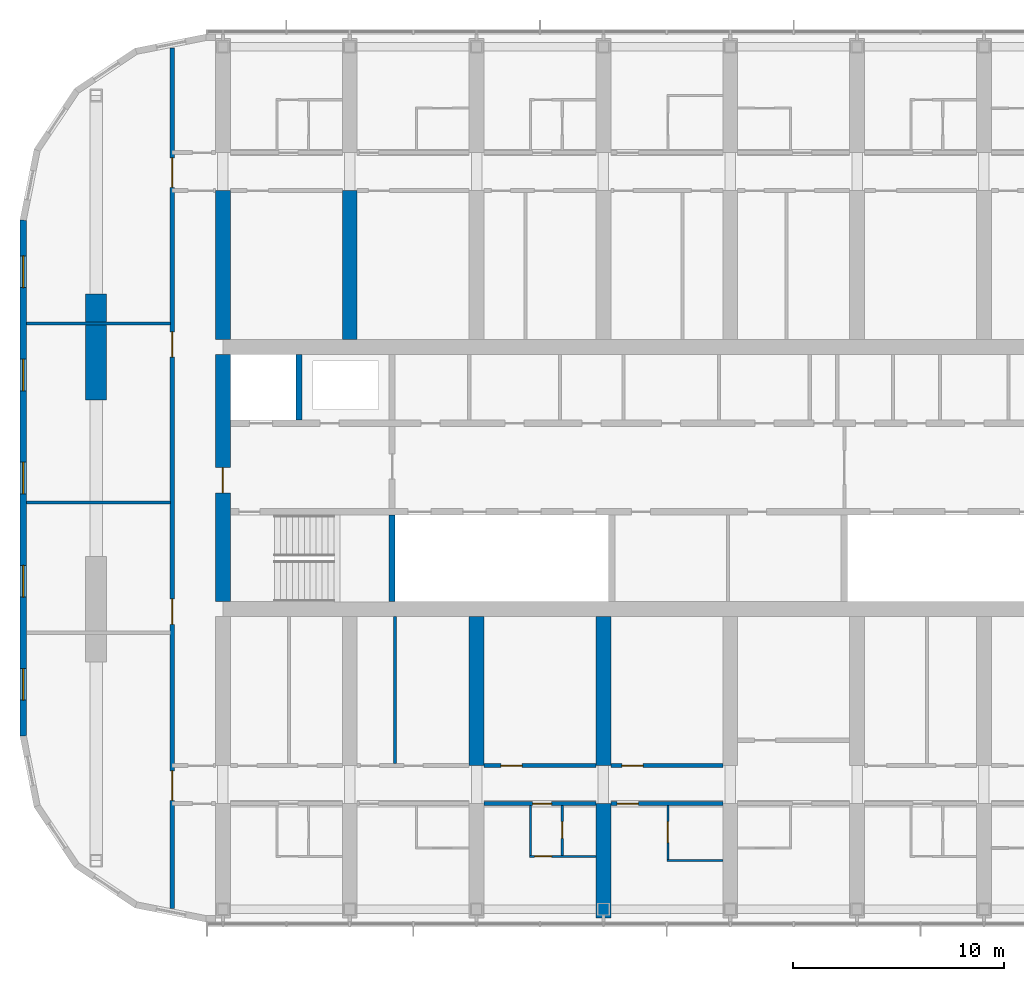
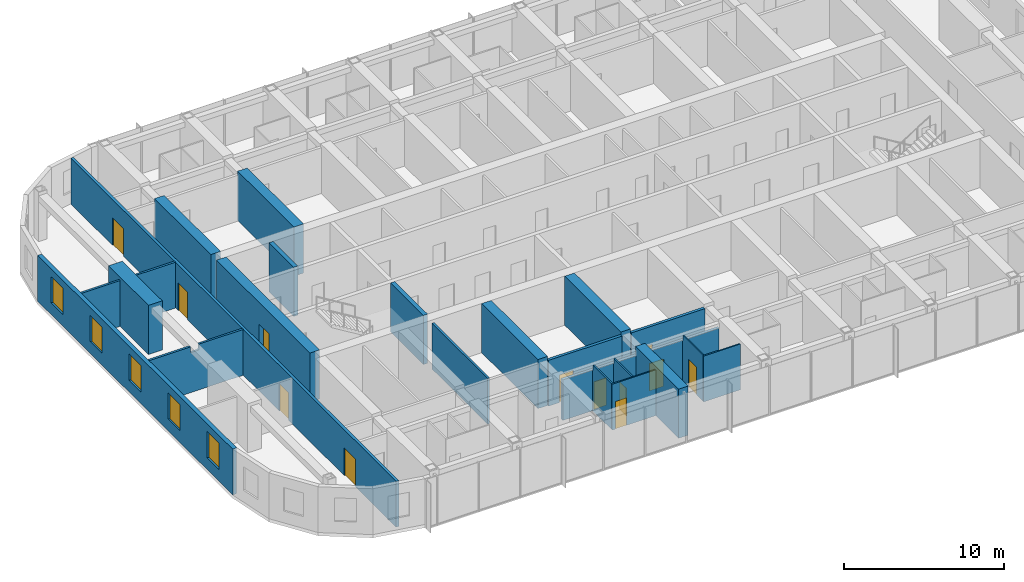
# One storey, part 11 of 23: 23 walls, 12 doors, 5 windows, 17 openings.
"""IFC4 building model written with IfcOpenShell, lengths in metres."""

from ifc_helpers import new_model, si_unit, direction, frame, frame_2d, origin, place, context, subcontext, project, spatial, polyline, rectangle, outline, extrude, material, layer, layer_set, type_object, element, fill, save


model = new_model("IFC4")

# Units and contexts
model_context = context("Model", 3, precision=1e-05, world=origin(), true_north=direction((0.0, 1.0)))
body_context = subcontext(model_context, "Body", "Model", "MODEL_VIEW")
ifc_project = project(units=[si_unit("LENGTHUNIT", "METRE"), si_unit("AREAUNIT", "SQUARE_METRE"), si_unit("VOLUMEUNIT", "CUBIC_METRE"), si_unit("PLANEANGLEUNIT", "RADIAN"), si_unit("MASSUNIT", "GRAM", prefix="KILO")], contexts=[model_context])

# Site, building, storey
site_placement = place(None, origin())
site = spatial("IfcSite", under=ifc_project, at=site_placement, CompositionType="ELEMENT")
building_placement = place(site_placement, origin())
building = spatial("IfcBuilding", under=site, at=building_placement, Name="Orbita Commons", CompositionType="ELEMENT")
storey_placement = place(building_placement, frame((0.0, 0.0, 224.050048828125)))
storey = spatial("IfcBuildingStorey", under=building, at=storey_placement, Name="L55", CompositionType="ELEMENT", Elevation=224.050048828125)

# Walls
ifc_material_1 = material(Name="Concrete C50/60", Category="concrete")
ifc_layer_1 = layer(ifc_material_1, 0.300048828125)
ifc_layer_set_1 = layer_set([ifc_layer_1], Name="Concrete C50/60")
wall_type_1 = type_object("IfcWallType", Name="Core inner wall 300 C50/60", PredefinedType="SHEAR", material=ifc_layer_set_1)
wall_1_placement = place(storey_placement, frame((26.0, 26.14990234375, 0.0), z_axis=(0.0, 0.0, 1.0), x_axis=(0.0, 1.0, 0.0)))
element("IfcWall", 1, at=wall_1_placement, inside=storey, type_object=wall_type_1, Name="Stair S1 wall L55", PredefinedType="SHEAR", context=body_context, shape_type="SweptSolid", body=[
    extrude(rectangle(XDim=4.10009765625, YDim=0.300048828125, at=frame_2d((2.050048828125, 0.0))), origin(), (0.0, 0.0, 1.0), 3.75),
])
wall_2_placement = place(storey_placement, frame((21.60009765625, 34.75, 0.0), z_axis=(0.0, 0.0, 1.0), x_axis=(0.0, 1.0, 0.0)))
element("IfcWall", 2, at=wall_2_placement, inside=storey, type_object=wall_type_1, Name="Firefighting lift FL1 shaft wall L55", PredefinedType="SHEAR", context=body_context, shape_type="SweptSolid", body=[
    extrude(rectangle(XDim=3.10009765625, YDim=0.300048828125, at=frame_2d((1.550048828125, 0.0))), origin(), (0.0, 0.0, 1.0), 3.75),
])

# Wall, opening, door
ifc_material_2 = material(Name="Concrete C50/60", Category="concrete")
ifc_layer_2 = layer(ifc_material_2, 0.699951171875)
ifc_layer_set_2 = layer_set([ifc_layer_2], Name="Concrete C50/60")
wall_type_2 = type_object("IfcWallType", Name="Core wall 700 C50/60", PredefinedType="SHEAR", material=ifc_layer_set_2)
wall_3_placement = place(storey_placement, frame((18.0, 26.14990234375, 0.0), z_axis=(0.0, 0.0, 1.0), x_axis=(0.0, 1.0, 0.0)))
wall_3 = element("IfcWall", 3, at=wall_3_placement, inside=storey, type_object=wall_type_2, Name="Core end wall west L55", PredefinedType="SHEAR", context=body_context, shape_type="SweptSolid", body=[
    extrude(rectangle(XDim=11.7001953125, YDim=0.699951171875, at=frame_2d((5.85009765625, 0.0))), origin(), (0.0, 0.0, 1.0), 3.75),
])
opening_1_placement = place(wall_3_placement, frame((5.14990234375, 0.0, 0.0)))
opening_1 = element("IfcOpeningElement", 4, at=opening_1_placement, cuts=wall_3, Name="Opening D01", PredefinedType="OPENING", context=body_context, shape_type="SweptSolid", body=[
    extrude(rectangle(XDim=1.199951171875, YDim=2.10009765625, at=frame_2d((0.60009765625, 1.050048828125))), frame((0.0, 0.35986328125, 0.0), z_axis=(0.0, -1.0, 0.0), x_axis=(1.0, 0.0, 0.0)), (0.0, 0.0, 1.0), 0.719970703125),
])
ifc_material_3 = material(Name="Steel-faced fire door leaf", Category="steel")
door_type_1 = type_object("IfcDoorType", Name="Fire door 90 min 1200x2100", OperationType="SINGLE_SWING_LEFT", PredefinedType="DOOR", material=ifc_material_3)
door_1_placement = place(opening_1_placement, origin())
door_1 = element("IfcDoor", 5, at=door_1_placement, inside=storey, type_object=door_type_1, Name="Firefighting lobby west door", OperationType="SINGLE_SWING_LEFT", OverallHeight=2.10009765625, OverallWidth=1.199951171875, PredefinedType="DOOR", context=body_context, shape_type="SweptSolid", body=[
    extrude(rectangle(XDim=1.199951171875, YDim=2.10009765625, at=frame_2d((0.60009765625, 1.050048828125))), frame((0.0, 0.02490234375, 0.0), z_axis=(0.0, -1.0, 0.0), x_axis=(1.0, 0.0, 0.0)), (0.0, 0.0, 1.0), 0.050048828125),
])
fill(opening_1, door_1)

ifc_material_4 = material(Name="Concrete blockwork", Category="masonry")
ifc_layer_3 = layer(ifc_material_4, 0.199951171875)
ifc_layer_set_3 = layer_set([ifc_layer_3], Name="Concrete blockwork")
wall_type_3 = type_object("IfcWallType", Name="Corridor wall 200 blockwork", PredefinedType="SOLIDWALL", material=ifc_layer_set_3)
wall_4_placement = place(storey_placement, frame((30.35009765625, 16.60009765625, 0.0), z_axis=(0.0, 0.0, 1.0), x_axis=(1.0, 0.0, 0.0)))
wall_4 = element("IfcWall", 6, at=wall_4_placement, inside=storey, type_object=wall_type_3, Name="Corridor wall 200 blockwork L55", PredefinedType="SOLIDWALL", context=body_context, shape_type="SweptSolid", body=[
    extrude(outline(polyline([(0.0, 0.0), (5.2998046875, 0.0), (5.300048828125, 3.099853515625), (0.0, 3.099853515625), (0.0, 0.0)])), frame((0.0, 0.10009765625, 0.0), z_axis=(0.0, -1.0, 0.0), x_axis=(1.0, 0.0, 0.0)), (0.0, 0.0, 1.0), 0.199951171875),
])
opening_2_placement = place(wall_4_placement, frame((2.300048828125, 0.0, 0.0)))
opening_2 = element("IfcOpeningElement", 7, at=opening_2_placement, cuts=wall_4, Name="Opening D11", PredefinedType="OPENING", context=body_context, shape_type="SweptSolid", body=[
    extrude(rectangle(XDim=0.89990234375, YDim=2.10009765625, at=frame_2d((0.449951171875, 1.050048828125))), frame((0.0, 0.10986328125, 0.0), z_axis=(0.0, -1.0, 0.0), x_axis=(1.0, 0.0, 0.0)), (0.0, 0.0, 1.0), 0.219970703125),
])
ifc_material_5 = material(Name="Steel-faced fire door leaf", Category="steel")
door_type_2 = type_object("IfcDoorType", Name="Corridor door 20 min 900x2100", OperationType="SINGLE_SWING_LEFT", PredefinedType="DOOR", material=ifc_material_5)
door_2_placement = place(opening_2_placement, origin())
door_2 = element("IfcDoor", 8, at=door_2_placement, inside=storey, type_object=door_type_2, Name="Studio flat L55-S04 entrance door", OperationType="SINGLE_SWING_LEFT", OverallHeight=2.10009765625, OverallWidth=0.89990234375, PredefinedType="DOOR", context=body_context, shape_type="SweptSolid", body=[
    extrude(rectangle(XDim=0.89990234375, YDim=2.10009765625, at=frame_2d((0.449951171875, 1.050048828125))), frame((0.0, 0.02490234375, 0.0), z_axis=(0.0, -1.0, 0.0), x_axis=(1.0, 0.0, 0.0)), (0.0, 0.0, 1.0), 0.050048828125),
])
fill(opening_2, door_2)

wall_5_placement = place(storey_placement, frame((36.35009765625, 16.60009765625, 0.0), z_axis=(0.0, 0.0, 1.0), x_axis=(1.0, 0.0, 0.0)))
wall_5 = element("IfcWall", 9, at=wall_5_placement, inside=storey, type_object=wall_type_3, Name="Corridor wall 200 blockwork L55", PredefinedType="SOLIDWALL", context=body_context, shape_type="SweptSolid", body=[
    extrude(outline(polyline([(0.0, 0.0), (5.2998046875, 0.0), (5.300048828125, 3.099853515625), (0.0, 3.099853515625), (0.0, 0.0)])), frame((0.0, 0.10009765625, 0.0), z_axis=(0.0, -1.0, 0.0), x_axis=(1.0, 0.0, 0.0)), (0.0, 0.0, 1.0), 0.199951171875),
])
opening_3_placement = place(wall_5_placement, frame((0.300048828125, 0.0, 0.0)))
opening_3 = element("IfcOpeningElement", 10, at=opening_3_placement, cuts=wall_5, Name="Opening D06", PredefinedType="OPENING", context=body_context, shape_type="SweptSolid", body=[
    extrude(rectangle(XDim=1.0, YDim=2.10009765625, at=frame_2d((0.5, 1.050048828125))), frame((0.0, 0.10986328125, 0.0), z_axis=(0.0, -1.0, 0.0), x_axis=(1.0, 0.0, 0.0)), (0.0, 0.0, 1.0), 0.219970703125),
])
ifc_material_6 = material(Name="Steel-faced fire door leaf", Category="steel")
door_type_3 = type_object("IfcDoorType", Name="Corridor door 20 min 1000x2100", OperationType="SINGLE_SWING_LEFT", PredefinedType="DOOR", material=ifc_material_6)
door_3_placement = place(opening_3_placement, origin())
door_3 = element("IfcDoor", 11, at=door_3_placement, inside=storey, type_object=door_type_3, Name="Accessible bedroom L55-S06 door", OperationType="SINGLE_SWING_LEFT", OverallHeight=2.10009765625, OverallWidth=1.0, PredefinedType="DOOR", context=body_context, shape_type="SweptSolid", body=[
    extrude(rectangle(XDim=1.0, YDim=2.10009765625, at=frame_2d((0.5, 1.050048828125))), frame((0.0, 0.02490234375, 0.0), z_axis=(0.0, -1.0, 0.0), x_axis=(1.0, 0.0, 0.0)), (0.0, 0.0, 1.0), 0.050048828125),
])
fill(opening_3, door_3)

# Wall, openings, doors
wall_6_placement = place(storey_placement, frame((15.60009765625, 11.646240234375, 0.0), z_axis=(0.0, 0.0, 1.0), x_axis=(0.0, 1.0, 0.0)))
wall_6 = element("IfcWall", 12, at=wall_6_placement, inside=storey, type_object=wall_type_3, Name="Corridor wall 200 blockwork L55", PredefinedType="SOLIDWALL", context=body_context, shape_type="SweptSolid", body=[
    extrude(rectangle(XDim=40.70751953125, YDim=0.199951171875, at=frame_2d((20.353759765625, 0.0))), origin(), (0.0, 0.0, 1.0), 3.5),
])
opening_4_placement = place(wall_6_placement, frame((13.433837890625, 0.0, 0.0)))
opening_4 = element("IfcOpeningElement", 13, at=opening_4_placement, cuts=wall_6, Name="Opening D15", PredefinedType="OPENING", context=body_context, shape_type="SweptSolid", body=[
    extrude(rectangle(XDim=1.199951171875, YDim=2.10009765625, at=frame_2d((0.60009765625, 1.050048828125))), frame((0.0, 0.10986328125, 0.0), z_axis=(0.0, -1.0, 0.0), x_axis=(1.0, 0.0, 0.0)), (0.0, 0.0, 1.0), 0.219970703125),
])
opening_5_placement = place(wall_6_placement, frame((26.07373046875, 0.0, 0.0)))
opening_5 = element("IfcOpeningElement", 14, at=opening_5_placement, cuts=wall_6, Name="Opening D15", PredefinedType="OPENING", context=body_context, shape_type="SweptSolid", body=[
    extrude(rectangle(XDim=1.199951171875, YDim=2.10009765625, at=frame_2d((0.60009765625, 1.050048828125))), frame((0.0, 0.10986328125, 0.0), z_axis=(0.0, -1.0, 0.0), x_axis=(1.0, 0.0, 0.0)), (0.0, 0.0, 1.0), 0.219970703125),
])
opening_6_placement = place(wall_6_placement, frame((5.103759765625, 0.0, 0.0)))
opening_6 = element("IfcOpeningElement", 15, at=opening_6_placement, cuts=wall_6, Name="Opening D08", PredefinedType="OPENING", context=body_context, shape_type="SweptSolid", body=[
    extrude(rectangle(XDim=1.39990234375, YDim=2.10009765625, at=frame_2d((0.699951171875, 1.050048828125))), frame((0.0, 0.10986328125, 0.0), z_axis=(0.0, -1.0, 0.0), x_axis=(1.0, 0.0, 0.0)), (0.0, 0.0, 1.0), 0.219970703125),
])
opening_7_placement = place(wall_6_placement, frame((34.103759765625, 0.0, 0.0)))
opening_7 = element("IfcOpeningElement", 16, at=opening_7_placement, cuts=wall_6, Name="Opening D08", PredefinedType="OPENING", context=body_context, shape_type="SweptSolid", body=[
    extrude(rectangle(XDim=1.39990234375, YDim=2.10009765625, at=frame_2d((0.699951171875, 1.050048828125))), frame((0.0, 0.10986328125, 0.0), z_axis=(0.0, -1.0, 0.0), x_axis=(1.0, 0.0, 0.0)), (0.0, 0.0, 1.0), 0.219970703125),
])
ifc_material_7 = material(Name="Steel-faced fire door leaf", Category="steel")
door_type_4 = type_object("IfcDoorType", Name="Corridor door 20 min 1200x2100", OperationType="SINGLE_SWING_LEFT", PredefinedType="DOOR", material=ifc_material_7)
door_4_placement = place(opening_4_placement, origin())
door_4 = element("IfcDoor", 17, at=door_4_placement, inside=storey, type_object=door_type_4, Name="Study hall door", OperationType="SINGLE_SWING_LEFT", OverallHeight=2.10009765625, OverallWidth=1.199951171875, PredefinedType="DOOR", context=body_context, shape_type="SweptSolid", body=[
    extrude(rectangle(XDim=1.199951171875, YDim=2.10009765625, at=frame_2d((0.60009765625, 1.050048828125))), frame((0.0, 0.02490234375, 0.0), z_axis=(0.0, -1.0, 0.0), x_axis=(1.0, 0.0, 0.0)), (0.0, 0.0, 1.0), 0.050048828125),
])
fill(opening_4, door_4)
door_5_placement = place(opening_5_placement, origin())
door_5 = element("IfcDoor", 18, at=door_5_placement, inside=storey, type_object=door_type_4, Name="Study hall door", OperationType="SINGLE_SWING_LEFT", OverallHeight=2.10009765625, OverallWidth=1.199951171875, PredefinedType="DOOR", context=body_context, shape_type="SweptSolid", body=[
    extrude(rectangle(XDim=1.199951171875, YDim=2.10009765625, at=frame_2d((0.60009765625, 1.050048828125))), frame((0.0, 0.02490234375, 0.0), z_axis=(0.0, -1.0, 0.0), x_axis=(1.0, 0.0, 0.0)), (0.0, 0.0, 1.0), 0.050048828125),
])
fill(opening_5, door_5)
ifc_material_8 = material(Name="Steel-faced fire door leaf", Category="steel")
door_type_5 = type_object("IfcDoorType", Name="Double corridor door 20 min 1400x2100", OperationType="DOUBLE_DOOR_SINGLE_SWING", PredefinedType="DOOR", material=ifc_material_8)
door_6_placement = place(opening_6_placement, origin())
door_6 = element("IfcDoor", 19, at=door_6_placement, inside=storey, type_object=door_type_5, Name="Lounge doors", OperationType="DOUBLE_DOOR_SINGLE_SWING", OverallHeight=2.10009765625, OverallWidth=1.39990234375, PredefinedType="DOOR", context=body_context, shape_type="SweptSolid", body=[
    extrude(rectangle(XDim=1.39990234375, YDim=2.10009765625, at=frame_2d((0.699951171875, 1.050048828125))), frame((0.0, 0.02490234375, 0.0), z_axis=(0.0, -1.0, 0.0), x_axis=(1.0, 0.0, 0.0)), (0.0, 0.0, 1.0), 0.050048828125),
])
fill(opening_6, door_6)
door_7_placement = place(opening_7_placement, origin())
door_7 = element("IfcDoor", 20, at=door_7_placement, inside=storey, type_object=door_type_5, Name="Lounge doors", OperationType="DOUBLE_DOOR_SINGLE_SWING", OverallHeight=2.10009765625, OverallWidth=1.39990234375, PredefinedType="DOOR", context=body_context, shape_type="SweptSolid", body=[
    extrude(rectangle(XDim=1.39990234375, YDim=2.10009765625, at=frame_2d((0.699951171875, 1.050048828125))), frame((0.0, 0.02490234375, 0.0), z_axis=(0.0, -1.0, 0.0), x_axis=(1.0, 0.0, 0.0)), (0.0, 0.0, 1.0), 0.050048828125),
])
fill(opening_7, door_7)

# Wall, opening, door
ifc_material_9 = material(Name="Hollow concrete block 200", Category="concrete")
ifc_layer_4 = layer(ifc_material_9, 0.199951171875)
ifc_layer_set_4 = layer_set([ifc_layer_4], Name="Hollow concrete block 200")
wall_type_4 = type_object("IfcWallType", Name="Corridor wall 200 hollow concrete block", PredefinedType="SOLIDWALL", material=ifc_layer_set_4)
wall_7_placement = place(storey_placement, frame((30.35009765625, 18.39990234375, 0.0), z_axis=(0.0, 0.0, 1.0), x_axis=(1.0, 0.0, 0.0)))
wall_7 = element("IfcWall", 21, at=wall_7_placement, inside=storey, type_object=wall_type_4, Name="Corridor wall 200 hollow concrete block L55", PredefinedType="SOLIDWALL", context=body_context, shape_type="SweptSolid", body=[
    extrude(rectangle(XDim=5.2998046875, YDim=0.199951171875, at=frame_2d((2.64990234375, 0.0))), origin(), (0.0, 0.0, 1.0), 3.5),
])
opening_8_placement = place(wall_7_placement, frame((0.800048828125, 0.0, 0.0)))
opening_8 = element("IfcOpeningElement", 22, at=opening_8_placement, cuts=wall_7, Name="Opening D06", PredefinedType="OPENING", context=body_context, shape_type="SweptSolid", body=[
    extrude(rectangle(XDim=1.0, YDim=2.10009765625, at=frame_2d((0.5, 1.050048828125))), frame((0.0, 0.10986328125, 0.0), z_axis=(0.0, -1.0, 0.0), x_axis=(1.0, 0.0, 0.0)), (0.0, 0.0, 1.0), 0.219970703125),
])
door_8_placement = place(opening_8_placement, origin())
door_8 = element("IfcDoor", 23, at=door_8_placement, inside=storey, type_object=door_type_3, Name="Electrical and data room L55-BDS30 door", OperationType="SINGLE_SWING_LEFT", OverallHeight=2.10009765625, OverallWidth=1.0, PredefinedType="DOOR", context=body_context, shape_type="SweptSolid", body=[
    extrude(rectangle(XDim=1.0, YDim=2.10009765625, at=frame_2d((0.5, 1.050048828125))), frame((0.0, 0.02490234375, 0.0), z_axis=(0.0, -1.0, 0.0), x_axis=(1.0, 0.0, 0.0)), (0.0, 0.0, 1.0), 0.050048828125),
])
fill(opening_8, door_8)

wall_8_placement = place(storey_placement, frame((36.35009765625, 18.39990234375, 0.0), z_axis=(0.0, 0.0, 1.0), x_axis=(1.0, 0.0, 0.0)))
wall_8 = element("IfcWall", 24, at=wall_8_placement, inside=storey, type_object=wall_type_4, Name="Corridor wall 200 hollow concrete block L55", PredefinedType="SOLIDWALL", context=body_context, shape_type="SweptSolid", body=[
    extrude(rectangle(XDim=5.2998046875, YDim=0.199951171875, at=frame_2d((2.64990234375, 0.0))), origin(), (0.0, 0.0, 1.0), 3.5),
])
opening_9_placement = place(wall_8_placement, frame((0.52490234375, 0.0, 0.0)))
opening_9 = element("IfcOpeningElement", 25, at=opening_9_placement, cuts=wall_8, Name="Opening D06", PredefinedType="OPENING", context=body_context, shape_type="SweptSolid", body=[
    extrude(rectangle(XDim=1.0, YDim=2.10009765625, at=frame_2d((0.5, 1.050048828125))), frame((0.0, 0.10986328125, 0.0), z_axis=(0.0, -1.0, 0.0), x_axis=(1.0, 0.0, 0.0)), (0.0, 0.0, 1.0), 0.219970703125),
])
door_9_placement = place(opening_9_placement, origin())
door_9 = element("IfcDoor", 26, at=door_9_placement, inside=storey, type_object=door_type_3, Name="IT and print room L55-BDS36 door", OperationType="SINGLE_SWING_LEFT", OverallHeight=2.10009765625, OverallWidth=1.0, PredefinedType="DOOR", context=body_context, shape_type="SweptSolid", body=[
    extrude(rectangle(XDim=1.0, YDim=2.10009765625, at=frame_2d((0.5, 1.050048828125))), frame((0.0, 0.02490234375, 0.0), z_axis=(0.0, -1.0, 0.0), x_axis=(1.0, 0.0, 0.0)), (0.0, 0.0, 1.0), 0.050048828125),
])
fill(opening_9, door_9)

# Walls
ifc_material_10 = material(Name="Concrete C50/60", Category="concrete")
ifc_layer_5 = layer(ifc_material_10, 0.699951171875)
ifc_layer_set_5 = layer_set([ifc_layer_5], Name="Concrete C50/60")
wall_type_5 = type_object("IfcWallType", Name="Cross wall 700 C50/60", PredefinedType="SHEAR", material=ifc_layer_set_5)
for number, where, z_axis, x_axis, name in (
    (27, (18.0, 38.550048828125, 0.0), (0.0, 0.0, 1.0), (0.0, 1.0, 0.0), "Cross wall 4 north inner L55"),
    (28, (24.0, 38.550048828125, 0.0), (0.0, 0.0, 1.0), (0.0, 1.0, 0.0), "Cross wall 5 north inner L55"),
    (29, (30.0, 18.39990234375, 0.0), (0.0, 0.0, 1.0), (0.0, 1.0, 0.0), "Cross wall 6 south inner L55"),
):
    element("IfcWall", number, at=place(storey_placement, frame(where, z_axis=z_axis, x_axis=x_axis)), inside=storey, type_object=wall_type_5, Name=name, PredefinedType="SHEAR", context=body_context, shape_type="SweptSolid", body=[
        extrude(rectangle(XDim=7.050048828125, YDim=0.699951171875, at=frame_2d((3.52490234375, 0.0))), origin(), (0.0, 0.0, 1.0), 3.75),
    ])
wall_9_placement = place(storey_placement, frame((36.0, 11.199951171875, 0.0), z_axis=(0.0, 0.0, 1.0), x_axis=(0.0, 1.0, 0.0)))
element("IfcWall", 30, at=wall_9_placement, inside=storey, type_object=wall_type_5, Name="Cross wall 7 south outer L55", PredefinedType="SHEAR", context=body_context, shape_type="SweptSolid", body=[
    extrude(rectangle(XDim=5.400146484375, YDim=0.699951171875, at=frame_2d((2.7001953125, 0.0))), origin(), (0.0, 0.0, 1.0), 3.75),
])
wall_10_placement = place(storey_placement, frame((36.0, 18.39990234375, 0.0), z_axis=(0.0, 0.0, 1.0), x_axis=(0.0, 1.0, 0.0)))
element("IfcWall", 31, at=wall_10_placement, inside=storey, type_object=wall_type_5, Name="Cross wall 7 south inner L55", PredefinedType="SHEAR", context=body_context, shape_type="SweptSolid", body=[
    extrude(rectangle(XDim=7.050048828125, YDim=0.699951171875, at=frame_2d((3.52490234375, 0.0))), origin(), (0.0, 0.0, 1.0), 3.75),
])

# Wall, opening, door
ifc_material_11 = material(Name="Moisture-resistant plasterboard on steel studs", Category="steel")
ifc_layer_6 = layer(ifc_material_11, 0.10009765625)
ifc_layer_set_6 = layer_set([ifc_layer_6], Name="Moisture-resistant plasterboard on steel studs")
wall_type_6 = type_object("IfcWallType", Name="En-suite partition 100", PredefinedType="PARTITIONING", material=ifc_layer_set_6)
wall_11_placement = place(storey_placement, frame((35.64990234375, 14.10009765625, 0.0), z_axis=(0.0, 0.0, 1.0), x_axis=(-1.0, 0.0, 0.0)))
wall_11 = element("IfcWall", 32, at=wall_11_placement, inside=storey, type_object=wall_type_6, Name="En-suite partition 100 L55", PredefinedType="PARTITIONING", context=body_context, shape_type="SweptSolid", body=[
    extrude(rectangle(XDim=3.14990234375, YDim=0.10009765625, at=frame_2d((1.574951171875, 0.0))), origin(), (0.0, 0.0, 1.0), 3.5),
])
opening_10_placement = place(wall_11_placement, frame((2.10009765625, 0.0, 0.0)))
opening_10 = element("IfcOpeningElement", 33, at=opening_10_placement, cuts=wall_11, Name="Opening D16", PredefinedType="OPENING", context=body_context, shape_type="SweptSolid", body=[
    extrude(rectangle(XDim=0.800048828125, YDim=2.10009765625, at=frame_2d((0.39990234375, 1.050048828125))), frame((0.0, 0.06005859375, 0.0), z_axis=(0.0, -1.0, 0.0), x_axis=(1.0, 0.0, 0.0)), (0.0, 0.0, 1.0), 0.1201171875),
])
ifc_material_12 = material(Name="Laminated timber door leaf", Category="wood")
door_type_6 = type_object("IfcDoorType", Name="En-suite door 800x2100", OperationType="SINGLE_SWING_RIGHT", PredefinedType="DOOR", material=ifc_material_12)
door_10_placement = place(opening_10_placement, origin())
door_10 = element("IfcDoor", 34, at=door_10_placement, inside=storey, type_object=door_type_6, Name="Studio flat L55-S04 door", OperationType="SINGLE_SWING_RIGHT", OverallHeight=2.10009765625, OverallWidth=0.800048828125, PredefinedType="DOOR", context=body_context, shape_type="SweptSolid", body=[
    extrude(rectangle(XDim=0.800048828125, YDim=2.10009765625, at=frame_2d((0.39990234375, 1.050048828125))), frame((0.0, 0.02490234375, 0.0), z_axis=(0.0, -1.0, 0.0), x_axis=(1.0, 0.0, 0.0)), (0.0, 0.0, 1.0), 0.050048828125),
])
fill(opening_10, door_10)

# Wall
wall_12_placement = place(storey_placement, frame((32.550048828125, 14.14990234375, 0.0), z_axis=(0.0, 0.0, 1.0), x_axis=(0.0, 1.0, 0.0)))
element("IfcWall", 35, at=wall_12_placement, inside=storey, type_object=wall_type_6, Name="En-suite partition 100 L55", PredefinedType="PARTITIONING", context=body_context, shape_type="SweptSolid", body=[
    extrude(outline(polyline([(0.0, 0.0), (2.35009765625, 0.0), (2.35009765625, 3.099853515625), (2.302001953125, 3.099853515625), (2.300048828125, 3.5), (0.0, 3.5), (0.0, 0.0)])), frame((0.0, 0.050048828125, 0.0), z_axis=(0.0, -1.0, 0.0), x_axis=(1.0, 0.0, 0.0)), (0.0, 0.0, 1.0), 0.10009765625),
])

# Wall, opening, door
wall_13_placement = place(storey_placement, frame((34.050048828125, 14.14990234375, 0.0), z_axis=(0.0, 0.0, 1.0), x_axis=(0.0, 1.0, 0.0)))
wall_13 = element("IfcWall", 36, at=wall_13_placement, inside=storey, type_object=wall_type_6, Name="En-suite partition 100 L55", PredefinedType="PARTITIONING", context=body_context, shape_type="SweptSolid", body=[
    extrude(outline(polyline([(0.0, 0.0), (2.35009765625, 0.0), (2.35009765625, 3.099853515625), (2.302001953125, 3.099853515625), (2.300048828125, 3.5), (0.0, 3.5), (0.0, 0.0)])), frame((0.0, 0.050048828125, 0.0), z_axis=(0.0, -1.0, 0.0), x_axis=(1.0, 0.0, 0.0)), (0.0, 0.0, 1.0), 0.10009765625),
])
opening_11_placement = place(wall_13_placement, frame((0.800048828125, 0.0, 0.0)))
opening_11 = element("IfcOpeningElement", 37, at=opening_11_placement, cuts=wall_13, Name="Opening D16", PredefinedType="OPENING", context=body_context, shape_type="SweptSolid", body=[
    extrude(rectangle(XDim=0.800048828125, YDim=2.10009765625, at=frame_2d((0.39990234375, 1.050048828125))), frame((0.0, 0.06005859375, 0.0), z_axis=(0.0, -1.0, 0.0), x_axis=(1.0, 0.0, 0.0)), (0.0, 0.0, 1.0), 0.1201171875),
])
door_11_placement = place(opening_11_placement, origin())
door_11 = element("IfcDoor", 38, at=door_11_placement, inside=storey, type_object=door_type_6, Name="Studio flat shower room L55-S04 door", OperationType="SINGLE_SWING_RIGHT", OverallHeight=2.10009765625, OverallWidth=0.800048828125, PredefinedType="DOOR", context=body_context, shape_type="SweptSolid", body=[
    extrude(rectangle(XDim=0.800048828125, YDim=2.10009765625, at=frame_2d((0.39990234375, 1.050048828125))), frame((0.0, 0.02490234375, 0.0), z_axis=(0.0, -1.0, 0.0), x_axis=(1.0, 0.0, 0.0)), (0.0, 0.0, 1.0), 0.050048828125),
])
fill(opening_11, door_11)

# Wall
wall_14_placement = place(storey_placement, frame((39.0, 13.89990234375, 0.0), z_axis=(0.0, 0.0, 1.0), x_axis=(1.0, 0.0, 0.0)))
element("IfcWall", 39, at=wall_14_placement, inside=storey, type_object=wall_type_6, Name="En-suite partition 100 L55", PredefinedType="PARTITIONING", context=body_context, shape_type="SweptSolid", body=[
    extrude(rectangle(XDim=2.64990234375, YDim=0.10009765625, at=frame_2d((1.324951171875, 0.0))), origin(), (0.0, 0.0, 1.0), 3.5),
])

# Wall, opening, door
wall_15_placement = place(storey_placement, frame((39.050048828125, 13.949951171875, 0.0), z_axis=(0.0, 0.0, 1.0), x_axis=(0.0, 1.0, 0.0)))
wall_15 = element("IfcWall", 40, at=wall_15_placement, inside=storey, type_object=wall_type_6, Name="En-suite partition 100 L55", PredefinedType="PARTITIONING", context=body_context, shape_type="SweptSolid", body=[
    extrude(outline(polyline([(0.0, 0.0), (2.550048828125, 0.0), (2.550048828125, 3.099853515625), (2.501953125, 3.099853515625), (2.5, 3.5), (0.0, 3.5), (0.0, 0.0)])), frame((0.0, 0.050048828125, 0.0), z_axis=(0.0, -1.0, 0.0), x_axis=(1.0, 0.0, 0.0)), (0.0, 0.0, 1.0), 0.10009765625),
])
opening_12_placement = place(wall_15_placement, frame((0.800048828125, 0.0, 0.0)))
opening_12 = element("IfcOpeningElement", 41, at=opening_12_placement, cuts=wall_15, Name="Opening D13", PredefinedType="OPENING", context=body_context, shape_type="SweptSolid", body=[
    extrude(rectangle(XDim=1.0, YDim=2.10009765625, at=frame_2d((0.5, 1.050048828125))), frame((0.0, 0.06005859375, 0.0), z_axis=(0.0, -1.0, 0.0), x_axis=(1.0, 0.0, 0.0)), (0.0, 0.0, 1.0), 0.1201171875),
])
ifc_material_13 = material(Name="Laminated timber door leaf", Category="wood")
door_type_7 = type_object("IfcDoorType", Name="En-suite door 1000x2100", OperationType="SINGLE_SWING_RIGHT", PredefinedType="DOOR", material=ifc_material_13)
door_12_placement = place(opening_12_placement, origin())
door_12 = element("IfcDoor", 42, at=door_12_placement, inside=storey, type_object=door_type_7, Name="Accessible shower room L55-S06 door", OperationType="SINGLE_SWING_RIGHT", OverallHeight=2.10009765625, OverallWidth=1.0, PredefinedType="DOOR", context=body_context, shape_type="SweptSolid", body=[
    extrude(rectangle(XDim=1.0, YDim=2.10009765625, at=frame_2d((0.5, 1.050048828125))), frame((0.0, 0.02490234375, 0.0), z_axis=(0.0, -1.0, 0.0), x_axis=(1.0, 0.0, 0.0)), (0.0, 0.0, 1.0), 0.050048828125),
])
fill(opening_12, door_12)

# Walls
ifc_material_14 = material(Name="Concrete C50/60", Category="concrete")
ifc_layer_7 = layer(ifc_material_14, 1.0)
ifc_layer_set_7 = layer_set([ifc_layer_7], Name="Concrete C50/60")
wall_type_7 = type_object("IfcWallType", Name="End pier 1000x5000 C50/60", PredefinedType="SHEAR", material=ifc_layer_set_7)
wall_16_placement = place(storey_placement, frame((12.0, 35.699951171875, 0.0), z_axis=(0.0, 0.0, 1.0), x_axis=(0.0, 1.0, 0.0)))
element("IfcWall", 43, at=wall_16_placement, inside=storey, type_object=wall_type_7, Name="End pier 3/D L55", PredefinedType="SHEAR", context=body_context, shape_type="SweptSolid", body=[
    extrude(rectangle(XDim=5.0, YDim=1.0, at=frame_2d((2.5, 0.0))), origin(), (0.0, 0.0, 1.0), 3.75),
])
ifc_material_15 = material(Name="Gypsum plasterboard on steel studs", Category="steel")
ifc_layer_8 = layer(ifc_material_15, 0.14990234375)
ifc_layer_set_8 = layer_set([ifc_layer_8], Name="Gypsum plasterboard on steel studs")
wall_type_8 = type_object("IfcWallType", Name="Partition 150 plasterboard", PredefinedType="PARTITIONING", material=ifc_layer_set_8)
wall_17_placement = place(storey_placement, frame((26.14501953125, 18.5, 0.0), z_axis=(0.0, 0.0, 1.0), x_axis=(0.0, 1.0, 0.0)))
element("IfcWall", 44, at=wall_17_placement, inside=storey, type_object=wall_type_8, Name="Partition 150 plasterboard L55", PredefinedType="PARTITIONING", context=body_context, shape_type="SweptSolid", body=[
    extrude(rectangle(XDim=6.949951171875, YDim=0.14990234375, at=frame_2d((3.47509765625, 0.0))), origin(), (0.0, 0.0, 1.0), 3.5),
])
wall_18_placement = place(storey_placement, frame((8.705078125, 30.85009765625, 0.0), z_axis=(0.0, 0.0, 1.0), x_axis=(1.0, 0.0, 0.0)))
element("IfcWall", 45, at=wall_18_placement, inside=storey, type_object=wall_type_8, Name="Partition 150 plasterboard L55", PredefinedType="PARTITIONING", context=body_context, shape_type="SweptSolid", body=[
    extrude(outline(polyline([(0.0, 0.0), (6.81982421875, 0.0), (6.820068359375, 3.5), (3.596923828125, 3.5), (3.594970703125, 3.050048828125), (2.9970703125, 3.050048828125), (2.9951171875, 3.5), (0.0, 3.5), (0.0, 0.0)])), frame((0.0, 0.074951171875, 0.0), z_axis=(0.0, -1.0, 0.0), x_axis=(1.0, 0.0, 0.0)), (0.0, 0.0, 1.0), 0.14990234375),
])
wall_19_placement = place(storey_placement, frame((8.705078125, 39.320068359375, 0.0), z_axis=(0.0, 0.0, 1.0), x_axis=(1.0, 0.0, 0.0)))
element("IfcWall", 46, at=wall_19_placement, inside=storey, type_object=wall_type_8, Name="Partition 150 plasterboard L55", PredefinedType="PARTITIONING", context=body_context, shape_type="SweptSolid", body=[
    extrude(rectangle(XDim=6.81982421875, YDim=0.14990234375, at=frame_2d((3.409912109375, 0.0))), origin(), (0.0, 0.0, 1.0), 3.5),
])

# Wall, openings, windows
ifc_material_16 = material(Name="Precast concrete C40/50, white board-marked finish", Category="concrete")
ifc_layer_9 = layer(ifc_material_16, 0.300048828125)
ifc_layer_set_9 = layer_set([ifc_layer_9], Name="Precast concrete C40/50, white board-marked finish")
wall_type_9 = type_object("IfcWallType", Name="Precast concrete end shield 300", PredefinedType="SOLIDWALL", material=ifc_layer_set_9)
wall_20_placement = place(storey_placement, frame((8.550048828125, 44.199951171875, 0.0), z_axis=(0.0, 0.0, 1.0), x_axis=(0.0, -1.0, 0.0)))
wall_20 = element("IfcWall", 47, at=wall_20_placement, inside=storey, type_object=wall_type_9, Name="End shield W L55", PredefinedType="SOLIDWALL", context=body_context, shape_type="SweptSolid", body=[
    extrude(outline(polyline([(-0.014892578125, -0.14990234375), (24.414794921875, -0.14990234375), (24.385009765625, 0.14990234375), (0.014892578125, 0.14990234375), (-0.014892578125, -0.14990234375)])), origin(), (0.0, 0.0, 1.0), 3.5),
])
opening_13_placement = place(wall_20_placement, frame((1.68994140625, 0.0, 0.89990234375)))
opening_13 = element("IfcOpeningElement", 48, at=opening_13_placement, cuts=wall_20, Name="Opening W01", PredefinedType="OPENING", context=body_context, shape_type="SweptSolid", body=[
    extrude(rectangle(XDim=1.5, YDim=2.0, at=frame_2d((0.75, 1.0))), frame((0.0, 0.159912109375, 0.0), z_axis=(0.0, -1.0, 0.0), x_axis=(1.0, 0.0, 0.0)), (0.0, 0.0, 1.0), 0.320068359375),
])
opening_14_placement = place(wall_20_placement, frame((6.570068359375, 0.0, 0.89990234375)))
opening_14 = element("IfcOpeningElement", 49, at=opening_14_placement, cuts=wall_20, Name="Opening W01", PredefinedType="OPENING", context=body_context, shape_type="SweptSolid", body=[
    extrude(rectangle(XDim=1.5, YDim=2.0, at=frame_2d((0.75, 1.0))), frame((0.0, 0.159912109375, 0.0), z_axis=(0.0, -1.0, 0.0), x_axis=(1.0, 0.0, 0.0)), (0.0, 0.0, 1.0), 0.320068359375),
])
opening_15_placement = place(wall_20_placement, frame((11.449951171875, 0.0, 0.89990234375)))
opening_15 = element("IfcOpeningElement", 50, at=opening_15_placement, cuts=wall_20, Name="Opening W01", PredefinedType="OPENING", context=body_context, shape_type="SweptSolid", body=[
    extrude(rectangle(XDim=1.5, YDim=2.0, at=frame_2d((0.75, 1.0))), frame((0.0, 0.159912109375, 0.0), z_axis=(0.0, -1.0, 0.0), x_axis=(1.0, 0.0, 0.0)), (0.0, 0.0, 1.0), 0.320068359375),
])
opening_16_placement = place(wall_20_placement, frame((16.330078125, 0.0, 0.89990234375)))
opening_16 = element("IfcOpeningElement", 51, at=opening_16_placement, cuts=wall_20, Name="Opening W01", PredefinedType="OPENING", context=body_context, shape_type="SweptSolid", body=[
    extrude(rectangle(XDim=1.5, YDim=2.0, at=frame_2d((0.75, 1.0))), frame((0.0, 0.159912109375, 0.0), z_axis=(0.0, -1.0, 0.0), x_axis=(1.0, 0.0, 0.0)), (0.0, 0.0, 1.0), 0.320068359375),
])
opening_17_placement = place(wall_20_placement, frame((21.2099609375, 0.0, 0.89990234375)))
opening_17 = element("IfcOpeningElement", 52, at=opening_17_placement, cuts=wall_20, Name="Opening W01", PredefinedType="OPENING", context=body_context, shape_type="SweptSolid", body=[
    extrude(rectangle(XDim=1.5, YDim=2.0, at=frame_2d((0.75, 1.0))), frame((0.0, 0.159912109375, 0.0), z_axis=(0.0, -1.0, 0.0), x_axis=(1.0, 0.0, 0.0)), (0.0, 0.0, 1.0), 0.320068359375),
])
ifc_material_17 = material(Name="Aluminium frame, clear double glazing", Category="aluminium")
window_type = type_object("IfcWindowType", Name="Deep-set window 1500x2000", PartitioningType="SINGLE_PANEL", PredefinedType="WINDOW", material=ifc_material_17)
window_1_placement = place(opening_13_placement, origin())
window_1 = element("IfcWindow", 53, at=window_1_placement, inside=storey, type_object=window_type, Name="Window L55-W 1", OverallHeight=2.0, OverallWidth=1.5, PartitioningType="SINGLE_PANEL", PredefinedType="WINDOW", context=body_context, shape_type="SweptSolid", body=[
    extrude(rectangle(XDim=1.5, YDim=2.0, at=frame_2d((0.75, 1.0))), frame((0.0, 0.030029296875, 0.0), z_axis=(0.0, -1.0, 0.0), x_axis=(1.0, 0.0, 0.0)), (0.0, 0.0, 1.0), 0.06005859375),
])
fill(opening_13, window_1)
window_2_placement = place(opening_14_placement, origin())
window_2 = element("IfcWindow", 54, at=window_2_placement, inside=storey, type_object=window_type, Name="Window L55-W 2", OverallHeight=2.0, OverallWidth=1.5, PartitioningType="SINGLE_PANEL", PredefinedType="WINDOW", context=body_context, shape_type="SweptSolid", body=[
    extrude(rectangle(XDim=1.5, YDim=2.0, at=frame_2d((0.75, 1.0))), frame((0.0, 0.030029296875, 0.0), z_axis=(0.0, -1.0, 0.0), x_axis=(1.0, 0.0, 0.0)), (0.0, 0.0, 1.0), 0.06005859375),
])
fill(opening_14, window_2)
window_3_placement = place(opening_15_placement, origin())
window_3 = element("IfcWindow", 55, at=window_3_placement, inside=storey, type_object=window_type, Name="Window L55-W 3", OverallHeight=2.0, OverallWidth=1.5, PartitioningType="SINGLE_PANEL", PredefinedType="WINDOW", context=body_context, shape_type="SweptSolid", body=[
    extrude(rectangle(XDim=1.5, YDim=2.0, at=frame_2d((0.75, 1.0))), frame((0.0, 0.030029296875, 0.0), z_axis=(0.0, -1.0, 0.0), x_axis=(1.0, 0.0, 0.0)), (0.0, 0.0, 1.0), 0.06005859375),
])
fill(opening_15, window_3)
window_4_placement = place(opening_16_placement, origin())
window_4 = element("IfcWindow", 56, at=window_4_placement, inside=storey, type_object=window_type, Name="Window L55-W 4", OverallHeight=2.0, OverallWidth=1.5, PartitioningType="SINGLE_PANEL", PredefinedType="WINDOW", context=body_context, shape_type="SweptSolid", body=[
    extrude(rectangle(XDim=1.5, YDim=2.0, at=frame_2d((0.75, 1.0))), frame((0.0, 0.030029296875, 0.0), z_axis=(0.0, -1.0, 0.0), x_axis=(1.0, 0.0, 0.0)), (0.0, 0.0, 1.0), 0.06005859375),
])
fill(opening_16, window_4)
window_5_placement = place(opening_17_placement, origin())
window_5 = element("IfcWindow", 57, at=window_5_placement, inside=storey, type_object=window_type, Name="Window L55-W 5", OverallHeight=2.0, OverallWidth=1.5, PartitioningType="SINGLE_PANEL", PredefinedType="WINDOW", context=body_context, shape_type="SweptSolid", body=[
    extrude(rectangle(XDim=1.5, YDim=2.0, at=frame_2d((0.75, 1.0))), frame((0.0, 0.030029296875, 0.0), z_axis=(0.0, -1.0, 0.0), x_axis=(1.0, 0.0, 0.0)), (0.0, 0.0, 1.0), 0.06005859375),
])
fill(opening_17, window_5)

save(model, "model.ifc")
